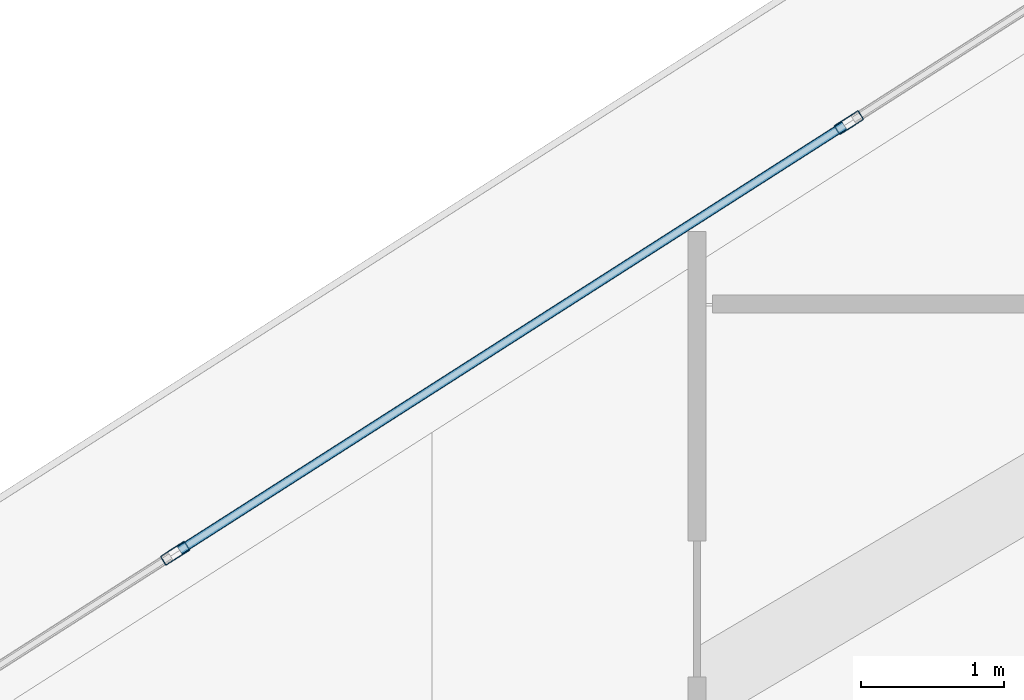
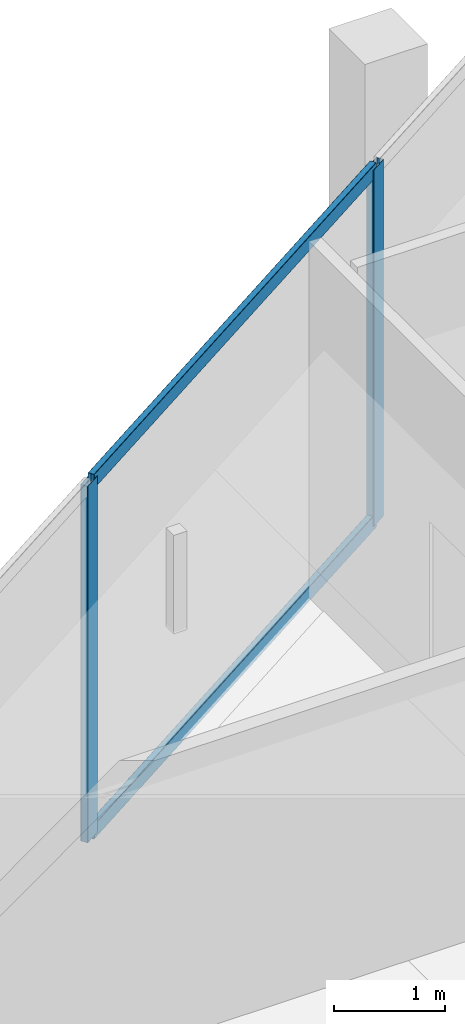
# One storey, part 15 of 36: 4 members, 1 element without a shape of its own.
"""IFC4 building model written with IfcOpenShell, lengths in metres."""

from ifc_helpers import new_model, si_unit, direction, frame, origin, origin_2d, place, context, subcontext, project, spatial, hollow_rectangle, extrude, material, layer, layer_set, material_profile, profile_set, type_object, element, aggregate, save


model = new_model("IFC4")

# Units and contexts
model_context = context("Model", 3, precision=1e-05, world=origin(), true_north=direction((0.0, 1.0)))
body_context = subcontext(model_context, "Body", "Model", "MODEL_VIEW")
ifc_project = project(units=[si_unit("LENGTHUNIT", "METRE"), si_unit("AREAUNIT", "SQUARE_METRE"), si_unit("VOLUMEUNIT", "CUBIC_METRE"), si_unit("PLANEANGLEUNIT", "RADIAN"), si_unit("MASSUNIT", "GRAM", prefix="KILO")], contexts=[model_context])

# Site, building, storey
site_placement = place(None, origin())
site = spatial("IfcSite", under=ifc_project, at=site_placement, CompositionType="ELEMENT")
building_placement = place(site_placement, origin())
building = spatial("IfcBuilding", under=site, at=building_placement, Name="Qorvath Tower", CompositionType="ELEMENT")
storey_placement = place(building_placement, frame((0.0, 0.0, 272.39990234375)))
storey = spatial("IfcBuildingStorey", under=building, at=storey_placement, Name="L63", CompositionType="ELEMENT", Elevation=272.39990234375)

# Curtain wall, members
ifc_material_1 = material(Name="Anodised aluminium and triple low-E glass", Category="aluminium")
ifc_layer = layer(ifc_material_1, 0.179931640625)
ifc_layer_set = layer_set([ifc_layer], Name="CW-SYS-4")
curtain_wall_type = type_object("IfcCurtainWallType", Name="CW-SYS-4", PredefinedType="NOTDEFINED", material=ifc_layer_set)
curtain_wall_placement = place(storey_placement, origin())
curtain_wall = element("IfcCurtainWall", 1, at=curtain_wall_placement, inside=storey, type_object=curtain_wall_type, Name="Curtain Wall CW-4 CW-T-L63-16.1", PredefinedType="NOTDEFINED")
ifc_material_2 = material(Name="Anodised aluminium 6063-T6", Category="aluminium")
ifc_material_profile_1 = material_profile(ifc_material_2, hollow_rectangle(XDim=0.074951171875, YDim=0.199951171875, WallThickness=0.00390625, InnerFilletRadius=0.00390625, OuterFilletRadius=0.008056640625, at=origin_2d()), Name="CWM 200x75")
ifc_profile_set_1 = profile_set([ifc_material_profile_1], Name="Anodised aluminium 6063-T6")
member_type_1 = type_object("IfcMemberType", Name="CWM-200", PredefinedType="MULLION", material=ifc_profile_set_1)
member_1_placement = place(storey_placement, frame((-36.796630859375, 12.023681640625, 0.0), z_axis=(0.0, 0.0, 1.0), x_axis=(0.538533509281, -0.842604094093, 0.0)))
member_1 = element("IfcMember", 2, at=member_1_placement, type_object=member_type_1, Name="CW-4 mullion 5", PredefinedType="MULLION", context=body_context, shape_type="SweptSolid", body=[
    extrude(hollow_rectangle(XDim=0.074951171875, YDim=0.199951171875, WallThickness=0.00390625, InnerFilletRadius=0.00390625, OuterFilletRadius=0.008056640625, at=origin_2d()), origin(), (0.0, 0.0, 1.0), 3.91015625),
])
member_2_placement = place(storey_placement, frame((-41.5, 9.017822265625, 0.0), z_axis=(0.0, 0.0, 1.0), x_axis=(0.538533509281, -0.842604094093, 0.0)))
member_2 = element("IfcMember", 3, at=member_2_placement, type_object=member_type_1, Name="CW-4 mullion 6", PredefinedType="MULLION", context=body_context, shape_type="SweptSolid", body=[
    extrude(hollow_rectangle(XDim=0.074951171875, YDim=0.199951171875, WallThickness=0.00390625, InnerFilletRadius=0.00390625, OuterFilletRadius=0.008056640625, at=origin_2d()), origin(), (0.0, 0.0, 1.0), 3.91015625),
])
ifc_material_3 = material(Name="Anodised aluminium 6063-T6", Category="aluminium")
ifc_material_profile_2 = material_profile(ifc_material_3, hollow_rectangle(XDim=0.06494140625, YDim=0.159912109375, WallThickness=0.00341796875, InnerFilletRadius=0.00341796875, OuterFilletRadius=0.007080078125, at=origin_2d()), Name="CWT 160x65")
ifc_profile_set_2 = profile_set([ifc_material_profile_2], Name="Anodised aluminium 6063-T6")
member_type_2 = type_object("IfcMemberType", Name="CWT-160", PredefinedType="USERDEFINED", material=ifc_profile_set_2)
member_3_placement = place(storey_placement, frame((-36.828369140625, 12.00341796875, 0.032470703125), z_axis=(-0.842597346925, -0.538544065935, 0.0), x_axis=(0.538544065935, -0.842597346925, 0.0)))
member_3 = element("IfcMember", 4, at=member_3_placement, type_object=member_type_2, Name="CW-4 transom 5.1", ObjectType="TRANSOM", PredefinedType="USERDEFINED", context=body_context, shape_type="SweptSolid", body=[
    extrude(hollow_rectangle(XDim=0.06494140625, YDim=0.159912109375, WallThickness=0.00341796875, InnerFilletRadius=0.00341796875, OuterFilletRadius=0.007080078125, at=origin_2d()), origin(), (0.0, 0.0, 1.0), 5.506591796875),
])
member_4_placement = place(storey_placement, frame((-36.828369140625, 12.00341796875, 3.877685546875), z_axis=(-0.842597346925, -0.538544065935, 0.0), x_axis=(0.538544065935, -0.842597346925, 0.0)))
member_4 = element("IfcMember", 5, at=member_4_placement, type_object=member_type_2, Name="CW-4 transom 5.2", ObjectType="TRANSOM", PredefinedType="USERDEFINED", context=body_context, shape_type="SweptSolid", body=[
    extrude(hollow_rectangle(XDim=0.06494140625, YDim=0.159912109375, WallThickness=0.00341796875, InnerFilletRadius=0.00341796875, OuterFilletRadius=0.007080078125, at=origin_2d()), origin(), (0.0, 0.0, 1.0), 5.506591796875),
])
aggregate(curtain_wall, [member_1, member_2, member_3, member_4])

save(model, "model.ifc")
